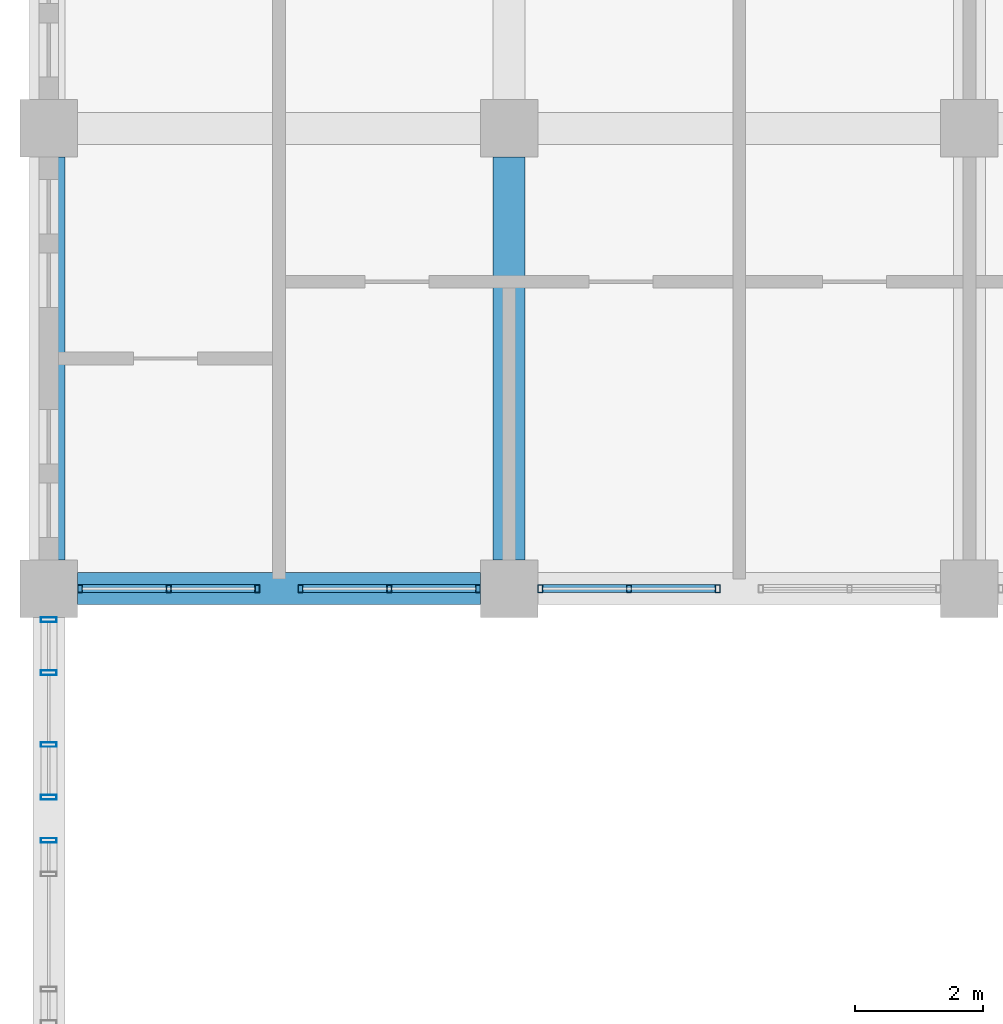
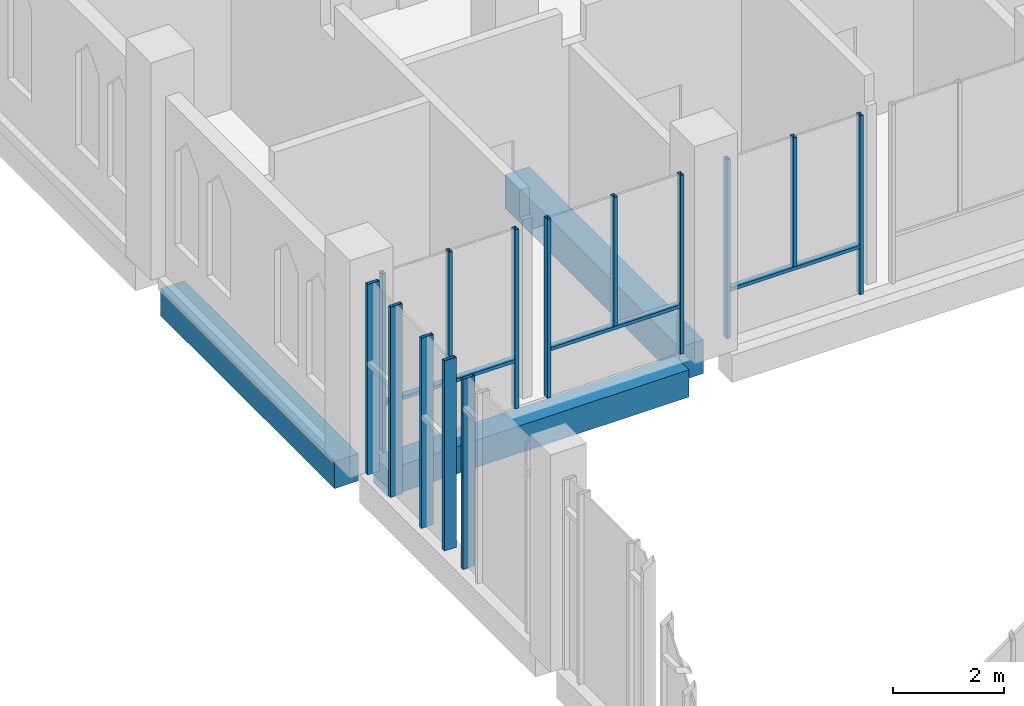
# One storey, part 7 of 30: 17 members, 3 beams, 5 elements without a shape of their own.
"""IFC4 building model written with IfcOpenShell, lengths in metres."""

import ifcopenshell
import ifcopenshell.guid

model = None  # the IFC model being written
_history = None  # IfcOwnerHistory: only IFC2X3 demands one
_inside = {}  # id of a spatial element -> (the spatial element, [elements in it])
_under = {}  # id of a project, library or spatial element -> (it, [spatial elements below it])
_declared = {}  # id of a project -> (the project, [libraries it declares])
_typed = {}  # id of a type object -> (the type object, [elements of that type])
_made_of = {}  # id of a material, layer set ... -> (it, [elements and type objects made of it])


def new_model(schema):
    """Start an empty IFC model of exactly this schema.

    Asked for "IFC4X3", IfcOpenShell would pick the latest addendum, in which some entities
    have other attributes; the version numbers below select the first issue.
    IFC2X3 requires an IfcOwnerHistory on every rooted entity: one is made here for all.
    """
    global model, _history
    if schema == "IFC4X3":
        model = ifcopenshell.file(schema_version=(4, 3, 0, 0))
    else:
        model = ifcopenshell.file(schema=schema)
    _inside.clear()
    _under.clear()
    _declared.clear()
    _typed.clear()
    _made_of.clear()
    _history = None
    if model.schema == "IFC2X3":
        org = make("IfcOrganization", Name="unknown")
        user = make(
            "IfcPersonAndOrganization",
            ThePerson=make("IfcPerson", FamilyName="unknown"),
            TheOrganization=org,
        )
        app = make(
            "IfcApplication",
            ApplicationDeveloper=org,
            Version="unknown",
            ApplicationFullName="unknown",
            ApplicationIdentifier="unknown",
        )
        _history = make(
            "IfcOwnerHistory",
            OwningUser=user,
            OwningApplication=app,
            ChangeAction="ADDED",
            CreationDate=0,
        )
    return model


def make(cls, **values):
    """One entity of the class cls with the attributes given. An attribute that is None is left unset."""
    return model.create_entity(
        cls, **{name: value for name, value in values.items() if value is not None}
    )


def rooted(cls, **values):
    """An entity with a GlobalId (a new one), such as an element, a storey or a relation."""
    return make(cls, GlobalId=ifcopenshell.guid.new(), OwnerHistory=_history, **values)


def si_unit(unit_type, name, prefix=None):
    """IfcSIUnit, for example si_unit("LENGTHUNIT", "METRE", prefix="MILLI")."""
    return make("IfcSIUnit", UnitType=unit_type, Prefix=prefix, Name=name)


def assignment(units):
    """IfcUnitAssignment: the units of a project."""
    return None if units is None else make("IfcUnitAssignment", Units=units)


def point(xyz):
    """IfcCartesianPoint."""
    return None if xyz is None else make("IfcCartesianPoint", Coordinates=xyz)


def direction(xyz):
    """IfcDirection."""
    return None if xyz is None else make("IfcDirection", DirectionRatios=xyz)


def frame(location, z_axis=None, x_axis=None):
    """IfcAxis2Placement3D, a coordinate frame: its origin and axes. An axis left out is left unset."""
    return make(
        "IfcAxis2Placement3D",
        Location=point(location),
        Axis=direction(z_axis),
        RefDirection=direction(x_axis),
    )


def frame_2d(location, x_axis=None):
    """IfcAxis2Placement2D, a coordinate frame in the plane: its origin and x axis."""
    return make(
        "IfcAxis2Placement2D", Location=point(location), RefDirection=direction(x_axis)
    )


def origin():
    """The frame at (0, 0, 0) with its axes left unset."""
    return frame((0.0, 0.0, 0.0))


def origin_2d():
    """The frame at (0, 0) in the plane with its x axis left unset."""
    return frame_2d((0.0, 0.0))


def place(relative_to, where):
    """IfcLocalPlacement: puts the frame where relative to a parent placement (None: the world)."""
    return make(
        "IfcLocalPlacement", PlacementRelTo=relative_to, RelativePlacement=where
    )


def context(
    kind, dimensions, precision=None, world=None, true_north=None, identifier=None
):
    """IfcGeometricRepresentationContext, for example the 3D "Model" context."""
    return make(
        "IfcGeometricRepresentationContext",
        ContextIdentifier=identifier,
        ContextType=kind,
        CoordinateSpaceDimension=dimensions,
        Precision=precision,
        WorldCoordinateSystem=world,
        TrueNorth=true_north,
    )


def subcontext(parent, identifier, kind, view, scale=None):
    """IfcGeometricRepresentationSubContext, for example "Body" below "Model"."""
    return make(
        "IfcGeometricRepresentationSubContext",
        ContextIdentifier=identifier,
        ContextType=kind,
        ParentContext=parent,
        TargetScale=scale,
        TargetView=view,
    )


def project(units=None, contexts=None):
    """IfcProject with its units and contexts."""
    return rooted(
        "IfcProject",
        Name="project",
        RepresentationContexts=contexts,
        UnitsInContext=assignment(units),
    )


def spatial(cls, under=None, at=None, **own):
    """A site, building, storey or space (cls), placed at a placement, below another one or the project."""
    s = rooted(cls, ObjectPlacement=at, **own)
    if under is not None:
        _under.setdefault(under.id(), (under, []))[1].append(s)
    return s


def profile(cls, at=None, kind="AREA", **sizes):
    """A parametric profile (cls). Its sizes go by their IFC names, for example OverallWidth=200.0."""
    return make(cls, ProfileType=kind, Position=at, **sizes)


def rectangle(**sizes):
    """IfcRectangleProfileDef."""
    return profile("IfcRectangleProfileDef", **sizes)


def hollow_rectangle(**sizes):
    """IfcRectangleHollowProfileDef."""
    return profile("IfcRectangleHollowProfileDef", **sizes)


def extrude(swept, where, along, depth):
    """IfcExtrudedAreaSolid: the profile swept, set in the frame where, extruded along a direction by depth."""
    return make(
        "IfcExtrudedAreaSolid",
        SweptArea=swept,
        Position=where,
        ExtrudedDirection=direction(along),
        Depth=depth,
    )


def shape(context_of_items, identifier, shape_type, items):
    """IfcShapeRepresentation: the items that make up one representation, for example the "Body"."""
    return make(
        "IfcShapeRepresentation",
        ContextOfItems=context_of_items,
        RepresentationIdentifier=identifier,
        RepresentationType=shape_type,
        Items=items,
    )


def material(Name=None, Category=None):
    """IfcMaterial."""
    return make("IfcMaterial", Name=Name, Category=Category)


def material_profile(
    of_material, cross_section, Name=None, Category=None, Priority=None
):
    """IfcMaterialProfile: a cross section and its material."""
    return make(
        "IfcMaterialProfile",
        Name=Name,
        Material=of_material,
        Profile=cross_section,
        Priority=Priority,
        Category=Category,
    )


def profile_set(profiles, Name=None, composite=None):
    """IfcMaterialProfileSet."""
    return make(
        "IfcMaterialProfileSet",
        Name=Name,
        MaterialProfiles=profiles,
        CompositeProfile=composite,
    )


def made_of(thing, what):
    """Note that an element or type object is made of a material, layer set ...; save() writes the relation."""
    if what is not None:
        _made_of.setdefault(what.id(), (what, []))[1].append(thing)
    return thing


def type_object(cls, material=None, **own):
    """A type object (cls), such as IfcWallType, which elements share."""
    return made_of(rooted(cls, **own), material)


def element(
    cls,
    number,
    at=None,
    inside=None,
    cuts=None,
    type_object=None,
    material=None,
    context=None,
    identifier="Body",
    shape_type=None,
    held_by="IfcProductDefinitionShape",
    body=None,
    shapes=None,
    **own,
):
    """One element of the class cls, such as IfcWall. Its Tag is "e" and its number.

    at: its placement. inside: the storey or other place that contains it. cuts: it is an
    opening in that element (IfcRelVoidsElement). A single representation is given by context,
    identifier, shape_type and body (its items); several are given by shapes. held_by: the class
    of the entity that holds the representations. save() writes the other relations.
    """
    e = rooted(cls, Tag="e%d" % number, ObjectPlacement=at, **own)
    if body is not None:
        shapes = [shape(context, identifier, shape_type, body)]
    if shapes is not None:
        e.Representation = make(held_by, Representations=shapes)
    if inside is not None:
        _inside.setdefault(inside.id(), (inside, []))[1].append(e)
    if cuts is not None:
        rooted(
            "IfcRelVoidsElement", RelatingBuildingElement=cuts, RelatedOpeningElement=e
        )
    if type_object is not None:
        _typed.setdefault(type_object.id(), (type_object, []))[1].append(e)
    return made_of(e, material)


def aggregate(whole, parts):
    """IfcRelAggregates: a whole, such as a stair, and the parts it consists of."""
    return rooted("IfcRelAggregates", RelatingObject=whole, RelatedObjects=parts)


def save(model, path):
    """Write the relations noted so far, then the file.

    IfcRelAggregates (storeys below a building ...), IfcRelContainedInSpatialStructure (elements
    in a storey), IfcRelDefinesByType, IfcRelAssociatesMaterial and IfcRelDeclares: one each for
    every whole, place, type object, material and project.
    """
    for whole, parts in _under.values():
        aggregate(whole, parts)
    for where, things in _inside.values():
        rooted(
            "IfcRelContainedInSpatialStructure",
            RelatedElements=things,
            RelatingStructure=where,
        )
    for kind, things in _typed.values():
        rooted("IfcRelDefinesByType", RelatedObjects=things, RelatingType=kind)
    for what, things in _made_of.values():
        rooted("IfcRelAssociatesMaterial", RelatedObjects=things, RelatingMaterial=what)
    for by, libraries in _declared.values():
        rooted("IfcRelDeclares", RelatingContext=by, RelatedDefinitions=libraries)
    model.write(path)


model = new_model("IFC4")

# Units and contexts
model_context = context("Model", 3, precision=1e-05, world=origin(), true_north=direction((0.0, 1.0)))
body_context = subcontext(model_context, "Body", "Model", "MODEL_VIEW")
ifc_project = project(units=[si_unit("LENGTHUNIT", "METRE"), si_unit("AREAUNIT", "SQUARE_METRE"), si_unit("VOLUMEUNIT", "CUBIC_METRE"), si_unit("PLANEANGLEUNIT", "RADIAN"), si_unit("MASSUNIT", "GRAM", prefix="KILO")], contexts=[model_context])

# Site, building, storey
site_placement = place(None, origin())
site = spatial("IfcSite", under=ifc_project, at=site_placement, CompositionType="ELEMENT")
building_placement = place(site_placement, origin())
building = spatial("IfcBuilding", under=site, at=building_placement, Name="Silangan Lancet Faculty of Sciences", CompositionType="ELEMENT")
storey_placement = place(building_placement, frame((0.0, 0.0, 31.199951171875)))
storey = spatial("IfcBuildingStorey", under=building, at=storey_placement, Name="L06", CompositionType="ELEMENT", Elevation=31.199951171875)

# Beams
ifc_material_1 = material(Name="Concrete C40/50", Category="concrete")
ifc_material_profile_1 = material_profile(ifc_material_1, rectangle(XDim=0.5, YDim=0.60009765625, at=origin_2d()), Name="RC 500x600")
ifc_profile_set_1 = profile_set([ifc_material_profile_1], Name="Concrete C40/50")
beam_type_1 = type_object("IfcBeamType", Name="BEAM RC 500x600", PredefinedType="BEAM", material=ifc_profile_set_1)
for number, where, z_axis, x_axis, name in (
    (1, (0.449951171875, 36.0, -0.550048828125), (1.0, 0.0, 0.0), (0.0, 1.0, 0.0), "BM-L06-1F-2F"),
    (2, (0.0, 36.449951171875, -0.550048828125), (0.0, 1.0, 0.0), (-1.0, 0.0, 0.0), "BM-L06-1F-1G"),
):
    element("IfcBeam", number, at=place(storey_placement, frame(where, z_axis=z_axis, x_axis=x_axis)), inside=storey, type_object=beam_type_1, Name=name, PredefinedType="BEAM", context=body_context, shape_type="SweptSolid", body=[
        extrude(rectangle(XDim=0.5, YDim=0.60009765625, at=origin_2d()), origin(), (0.0, 0.0, 1.0), 6.300048828125),
    ])
ifc_material_2 = material(Name="Concrete C40/50", Category="concrete")
ifc_material_profile_2 = material_profile(ifc_material_2, rectangle(XDim=0.5, YDim=0.75, at=origin_2d()), Name="RC 500x750")
ifc_profile_set_2 = profile_set([ifc_material_profile_2], Name="Concrete C40/50")
beam_type_2 = type_object("IfcBeamType", Name="BEAM RC 500x750", PredefinedType="BEAM", material=ifc_profile_set_2)
beam_placement = place(storey_placement, frame((7.199951171875, 36.449951171875, -0.625), z_axis=(0.0, 1.0, 0.0), x_axis=(-1.0, 0.0, 0.0)))
element("IfcBeam", 3, at=beam_placement, inside=storey, type_object=beam_type_2, Name="BM-L06-2F-2G", PredefinedType="BEAM", context=body_context, shape_type="SweptSolid", body=[
    extrude(rectangle(XDim=0.5, YDim=0.75, at=origin_2d()), origin(), (0.0, 0.0, 1.0), 6.300048828125),
])

# Curtain wall, members
ifc_material_3 = material(Name="Aluminium framed curtain wall with insulated glass", Category="aluminium")
curtain_wall_type_1 = type_object("IfcCurtainWallType", Name="CW2 Atrium fire-resisting screen", PredefinedType="NOTDEFINED", material=ifc_material_3)
curtain_wall_1_placement = place(storey_placement, origin())
curtain_wall_1 = element("IfcCurtainWall", 4, at=curtain_wall_1_placement, inside=storey, type_object=curtain_wall_type_1, Name="CW2 Atrium north L06 bay 1", PredefinedType="NOTDEFINED")
ifc_material_4 = material(Name="Steel S355J2H", Category="steel")
ifc_material_profile_3 = material_profile(ifc_material_4, hollow_rectangle(XDim=0.074951171875, YDim=0.125, WallThickness=0.0048828125, at=origin_2d()), Name="ST BOX 75x125x5")
ifc_profile_set_3 = profile_set([ifc_material_profile_3], Name="Steel S355J2H")
member_type_1 = type_object("IfcMemberType", Name="CM2 Mullion 75x125", PredefinedType="MULLION", material=ifc_profile_set_3)
member_1_placement = place(storey_placement, frame((0.487548828125, 36.0, 0.0), z_axis=(0.0, 0.0, 1.0), x_axis=(1.0, 0.0, 0.0)))
member_1 = element("IfcMember", 5, at=member_1_placement, type_object=member_type_1, Name="CW2 Atrium north L06 bay 1 mullion 1", PredefinedType="MULLION", context=body_context, shape_type="SweptSolid", body=[
    extrude(hollow_rectangle(XDim=0.074951171875, YDim=0.125, WallThickness=0.0048828125, at=origin_2d()), origin(), (0.0, 0.0, 1.0), 3.949951171875),
])
member_2_placement = place(storey_placement, frame((3.2626953125, 36.0, 0.0), z_axis=(0.0, 0.0, 1.0), x_axis=(1.0, 0.0, 0.0)))
member_2 = element("IfcMember", 6, at=member_2_placement, type_object=member_type_1, Name="CW2 Atrium north L06 bay 1 mullion 2", PredefinedType="MULLION", context=body_context, shape_type="SweptSolid", body=[
    extrude(hollow_rectangle(XDim=0.074951171875, YDim=0.125, WallThickness=0.0048828125, at=origin_2d()), origin(), (0.0, 0.0, 1.0), 3.949951171875),
])
member_3_placement = place(storey_placement, frame((1.875, 36.0, 1.10009765625), z_axis=(0.0, 0.0, 1.0), x_axis=(1.0, 0.0, 0.0)))
member_3 = element("IfcMember", 7, at=member_3_placement, type_object=member_type_1, Name="CW2 Atrium north L06 bay 1 mullion 3", PredefinedType="MULLION", context=body_context, shape_type="SweptSolid", body=[
    extrude(hollow_rectangle(XDim=0.074951171875, YDim=0.125, WallThickness=0.0048828125, at=origin_2d()), origin(), (0.0, 0.0, 1.0), 2.849853515625),
])

curtain_wall_2_placement = place(storey_placement, origin())
curtain_wall_2 = element("IfcCurtainWall", 8, at=curtain_wall_2_placement, inside=storey, type_object=curtain_wall_type_1, Name="CW2 Atrium north L06 bay 2", PredefinedType="NOTDEFINED")
member_4_placement = place(storey_placement, frame((3.9375, 36.0, 0.0), z_axis=(0.0, 0.0, 1.0), x_axis=(1.0, 0.0, 0.0)))
member_4 = element("IfcMember", 9, at=member_4_placement, type_object=member_type_1, Name="CW2 Atrium north L06 bay 2 mullion 1", PredefinedType="MULLION", context=body_context, shape_type="SweptSolid", body=[
    extrude(hollow_rectangle(XDim=0.074951171875, YDim=0.125, WallThickness=0.0048828125, at=origin_2d()), origin(), (0.0, 0.0, 1.0), 3.949951171875),
])
member_5_placement = place(storey_placement, frame((6.71240234375, 36.0, 0.0), z_axis=(0.0, 0.0, 1.0), x_axis=(1.0, 0.0, 0.0)))
member_5 = element("IfcMember", 10, at=member_5_placement, type_object=member_type_1, Name="CW2 Atrium north L06 bay 2 mullion 2", PredefinedType="MULLION", context=body_context, shape_type="SweptSolid", body=[
    extrude(hollow_rectangle(XDim=0.074951171875, YDim=0.125, WallThickness=0.0048828125, at=origin_2d()), origin(), (0.0, 0.0, 1.0), 3.949951171875),
])
member_6_placement = place(storey_placement, frame((5.324951171875, 36.0, 1.10009765625), z_axis=(0.0, 0.0, 1.0), x_axis=(1.0, 0.0, 0.0)))
member_6 = element("IfcMember", 11, at=member_6_placement, type_object=member_type_1, Name="CW2 Atrium north L06 bay 2 mullion 3", PredefinedType="MULLION", context=body_context, shape_type="SweptSolid", body=[
    extrude(hollow_rectangle(XDim=0.074951171875, YDim=0.125, WallThickness=0.0048828125, at=origin_2d()), origin(), (0.0, 0.0, 1.0), 2.849853515625),
])

curtain_wall_3_placement = place(storey_placement, origin())
curtain_wall_3 = element("IfcCurtainWall", 12, at=curtain_wall_3_placement, inside=storey, type_object=curtain_wall_type_1, Name="CW2 Atrium north L06 bay 3", PredefinedType="NOTDEFINED")
member_7_placement = place(storey_placement, frame((7.6875, 36.0, 0.0), z_axis=(0.0, 0.0, 1.0), x_axis=(1.0, 0.0, 0.0)))
member_7 = element("IfcMember", 13, at=member_7_placement, type_object=member_type_1, Name="CW2 Atrium north L06 bay 3 mullion 1", PredefinedType="MULLION", context=body_context, shape_type="SweptSolid", body=[
    extrude(hollow_rectangle(XDim=0.074951171875, YDim=0.125, WallThickness=0.0048828125, at=origin_2d()), origin(), (0.0, 0.0, 1.0), 3.949951171875),
])
member_8_placement = place(storey_placement, frame((10.46240234375, 36.0, 0.0), z_axis=(0.0, 0.0, 1.0), x_axis=(1.0, 0.0, 0.0)))
member_8 = element("IfcMember", 14, at=member_8_placement, type_object=member_type_1, Name="CW2 Atrium north L06 bay 3 mullion 2", PredefinedType="MULLION", context=body_context, shape_type="SweptSolid", body=[
    extrude(hollow_rectangle(XDim=0.074951171875, YDim=0.125, WallThickness=0.0048828125, at=origin_2d()), origin(), (0.0, 0.0, 1.0), 3.949951171875),
])
member_9_placement = place(storey_placement, frame((9.074951171875, 36.0, 1.10009765625), z_axis=(0.0, 0.0, 1.0), x_axis=(1.0, 0.0, 0.0)))
member_9 = element("IfcMember", 15, at=member_9_placement, type_object=member_type_1, Name="CW2 Atrium north L06 bay 3 mullion 3", PredefinedType="MULLION", context=body_context, shape_type="SweptSolid", body=[
    extrude(hollow_rectangle(XDim=0.074951171875, YDim=0.125, WallThickness=0.0048828125, at=origin_2d()), origin(), (0.0, 0.0, 1.0), 2.849853515625),
])

# Curtain wall, member
ifc_material_5 = material(Name="Aluminium framed curtain wall with insulated glass", Category="aluminium")
curtain_wall_type_2 = type_object("IfcCurtainWallType", Name="CW6 West window middle bays", PredefinedType="NOTDEFINED", material=ifc_material_5)
curtain_wall_4_placement = place(storey_placement, origin())
curtain_wall_4 = element("IfcCurtainWall", 16, at=curtain_wall_4_placement, inside=storey, type_object=curtain_wall_type_2, Name="CW6 West window L06 bay 3", PredefinedType="NOTDEFINED")
ifc_material_6 = material(Name="Aluminium 6063-T6 extrusion", Category="aluminium")
ifc_material_profile_4 = material_profile(ifc_material_6, hollow_rectangle(XDim=0.074951171875, YDim=0.25, WallThickness=0.006103515625, at=origin_2d()), Name="AL BOX 75x250x6")
ifc_profile_set_4 = profile_set([ifc_material_profile_4], Name="Aluminium 6063-T6 extrusion")
member_type_2 = type_object("IfcMemberType", Name="CM3 Mullion 75x250", PredefinedType="MULLION", material=ifc_profile_set_4)
member_10_placement = place(storey_placement, frame((0.0, 32.0625, 0.0), z_axis=(0.0, 0.0, 1.0), x_axis=(0.0, 1.0, 0.0)))
member_10 = element("IfcMember", 17, at=member_10_placement, type_object=member_type_2, Name="CW6 West window L06 bay 3 mullion 2", PredefinedType="MULLION", context=body_context, shape_type="SweptSolid", body=[
    extrude(hollow_rectangle(XDim=0.074951171875, YDim=0.25, WallThickness=0.006103515625, at=origin_2d()), origin(), (0.0, 0.0, 1.0), 4.199951171875),
])
aggregate(curtain_wall_4, [member_10])

# Curtain wall, members
ifc_material_7 = material(Name="Aluminium framed curtain wall with insulated glass", Category="aluminium")
curtain_wall_type_3 = type_object("IfcCurtainWallType", Name="CW3 West stepped lancet window", PredefinedType="NOTDEFINED", material=ifc_material_7)
curtain_wall_5_placement = place(storey_placement, origin())
curtain_wall_5 = element("IfcCurtainWall", 18, at=curtain_wall_5_placement, inside=storey, type_object=curtain_wall_type_3, Name="CW3 West window L06 bay 4", PredefinedType="NOTDEFINED")
member_11_placement = place(storey_placement, frame((0.0, 32.7373046875, 0.0), z_axis=(0.0, 0.0, 1.0), x_axis=(0.0, 1.0, 0.0)))
member_11 = element("IfcMember", 19, at=member_11_placement, type_object=member_type_2, Name="CW3 West window L06 bay 4 mullion 1", PredefinedType="MULLION", context=body_context, shape_type="SweptSolid", body=[
    extrude(hollow_rectangle(XDim=0.074951171875, YDim=0.25, WallThickness=0.006103515625, at=origin_2d()), origin(), (0.0, 0.0, 1.0), 4.199951171875),
])
member_12_placement = place(storey_placement, frame((0.0, 35.512451171875, 0.0), z_axis=(0.0, 0.0, 1.0), x_axis=(0.0, 1.0, 0.0)))
member_12 = element("IfcMember", 20, at=member_12_placement, type_object=member_type_2, Name="CW3 West window L06 bay 4 mullion 2", PredefinedType="MULLION", context=body_context, shape_type="SweptSolid", body=[
    extrude(hollow_rectangle(XDim=0.074951171875, YDim=0.25, WallThickness=0.006103515625, at=origin_2d()), origin(), (0.0, 0.0, 1.0), 4.199951171875),
])
member_13_placement = place(storey_placement, frame((0.0, 33.5625, 0.0), z_axis=(0.0, 0.0, 1.0), x_axis=(0.0, 1.0, 0.0)))
member_13 = element("IfcMember", 21, at=member_13_placement, type_object=member_type_2, Name="CW3 West window L06 bay 4 mullion 3", PredefinedType="MULLION", context=body_context, shape_type="SweptSolid", body=[
    extrude(hollow_rectangle(XDim=0.074951171875, YDim=0.25, WallThickness=0.006103515625, at=origin_2d()), origin(), (0.0, 0.0, 1.0), 4.199951171875),
])
member_14_placement = place(storey_placement, frame((0.0, 34.6875, 0.0), z_axis=(0.0, 0.0, 1.0), x_axis=(0.0, 1.0, 0.0)))
member_14 = element("IfcMember", 22, at=member_14_placement, type_object=member_type_2, Name="CW3 West window L06 bay 4 mullion 4", PredefinedType="MULLION", context=body_context, shape_type="SweptSolid", body=[
    extrude(hollow_rectangle(XDim=0.074951171875, YDim=0.25, WallThickness=0.006103515625, at=origin_2d()), origin(), (0.0, 0.0, 1.0), 4.199951171875),
])
aggregate(curtain_wall_5, [member_11, member_12, member_13, member_14])

# Member
ifc_material_8 = material(Name="Steel S355J2H", Category="steel")
ifc_material_profile_5 = material_profile(ifc_material_8, hollow_rectangle(XDim=0.125, YDim=0.074951171875, WallThickness=0.0048828125, at=origin_2d()), Name="ST BOX 125x75x5")
ifc_profile_set_5 = profile_set([ifc_material_profile_5], Name="Steel S355J2H")
member_type_3 = type_object("IfcMemberType", Name="CT2 Transom 125x75", PredefinedType="USERDEFINED", material=ifc_profile_set_5)
member_15_placement = place(storey_placement, frame((0.52490234375, 36.0, 1.0625), z_axis=(1.0, 0.0, 0.0), x_axis=(0.0, 1.0, 0.0)))
member_15 = element("IfcMember", 23, at=member_15_placement, type_object=member_type_3, Name="CW2 Atrium north L06 bay 1 transom 1", ObjectType="TRANSOM", PredefinedType="USERDEFINED", context=body_context, shape_type="SweptSolid", body=[
    extrude(hollow_rectangle(XDim=0.125, YDim=0.074951171875, WallThickness=0.0048828125, at=origin_2d()), origin(), (0.0, 0.0, 1.0), 2.7001953125),
])

aggregate(curtain_wall_1, [member_1, member_2, member_3, member_15])

member_16_placement = place(storey_placement, frame((3.97509765625, 36.0, 1.0625), z_axis=(1.0, 0.0, 0.0), x_axis=(0.0, 1.0, 0.0)))
member_16 = element("IfcMember", 24, at=member_16_placement, type_object=member_type_3, Name="CW2 Atrium north L06 bay 2 transom 1", ObjectType="TRANSOM", PredefinedType="USERDEFINED", context=body_context, shape_type="SweptSolid", body=[
    extrude(hollow_rectangle(XDim=0.125, YDim=0.074951171875, WallThickness=0.0048828125, at=origin_2d()), origin(), (0.0, 0.0, 1.0), 2.699951171875),
])

aggregate(curtain_wall_2, [member_4, member_5, member_6, member_16])

member_17_placement = place(storey_placement, frame((7.72509765625, 36.0, 1.0625), z_axis=(1.0, 0.0, 0.0), x_axis=(0.0, 1.0, 0.0)))
member_17 = element("IfcMember", 25, at=member_17_placement, type_object=member_type_3, Name="CW2 Atrium north L06 bay 3 transom 1", ObjectType="TRANSOM", PredefinedType="USERDEFINED", context=body_context, shape_type="SweptSolid", body=[
    extrude(hollow_rectangle(XDim=0.125, YDim=0.074951171875, WallThickness=0.0048828125, at=origin_2d()), origin(), (0.0, 0.0, 1.0), 2.699951171875),
])

aggregate(curtain_wall_3, [member_7, member_8, member_9, member_17])

save(model, "model.ifc")
